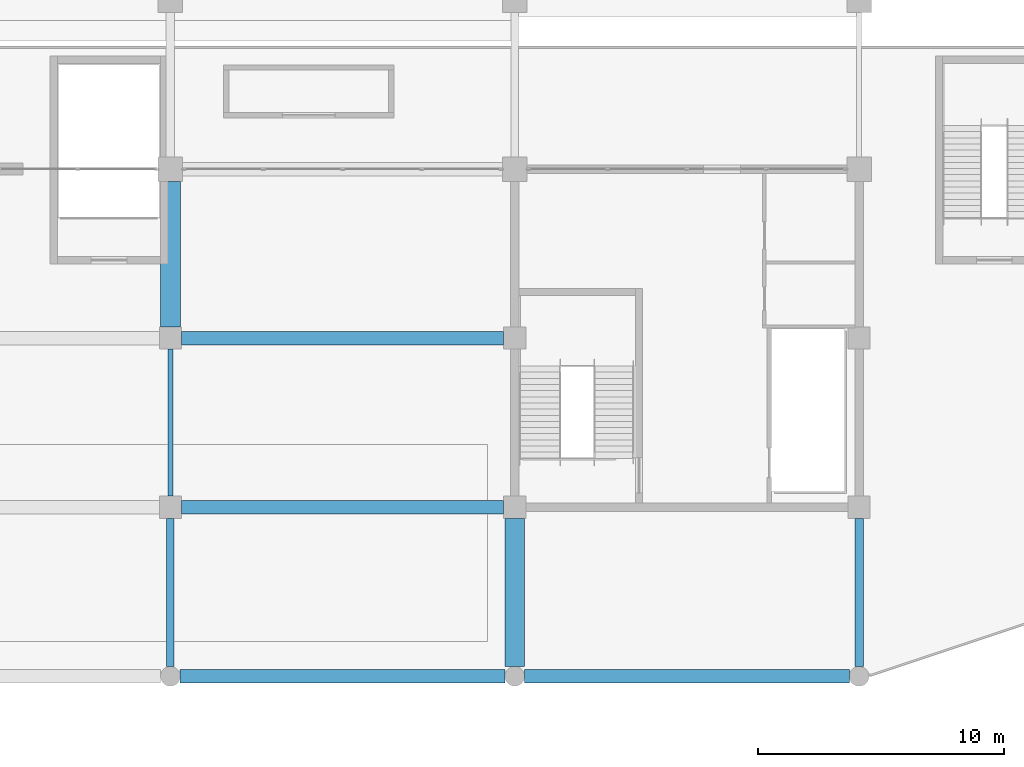
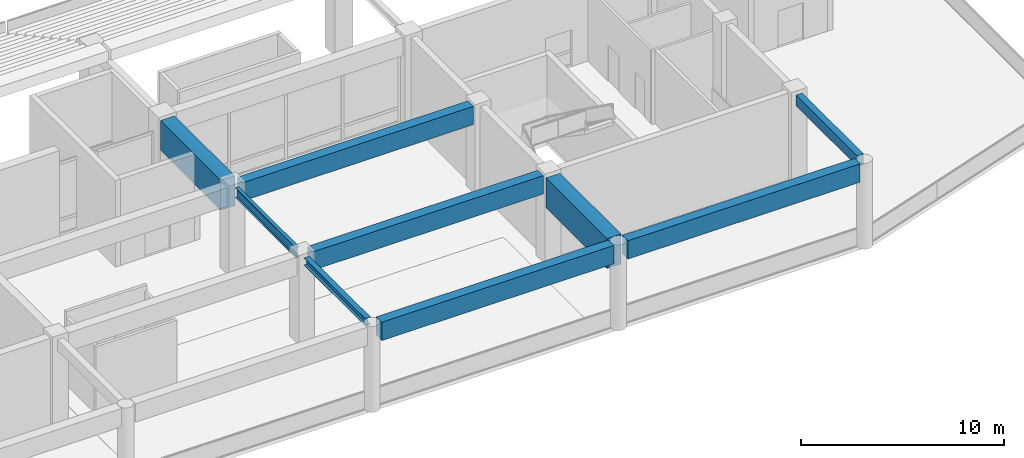
# One storey, part 35 of 117: 9 beams.
"""IFC4 building model written with IfcOpenShell, lengths in metres."""

from ifc_helpers import new_model, si_unit, direction, frame, origin, origin_2d, place, context, subcontext, project, spatial, rectangle, i_section, extrude, material, material_profile, profile_set, type_object, element, save


model = new_model("IFC4")

# Units and contexts
model_context = context("Model", 3, precision=1e-05, world=origin(), true_north=direction((0.0, 1.0)))
body_context = subcontext(model_context, "Body", "Model", "MODEL_VIEW")
ifc_project = project(units=[si_unit("LENGTHUNIT", "METRE"), si_unit("AREAUNIT", "SQUARE_METRE"), si_unit("VOLUMEUNIT", "CUBIC_METRE"), si_unit("PLANEANGLEUNIT", "RADIAN"), si_unit("MASSUNIT", "GRAM", prefix="KILO")], contexts=[model_context])

# Site, building, storey
site_placement = place(None, origin())
site = spatial("IfcSite", under=ifc_project, at=site_placement, CompositionType="ELEMENT")
building_placement = place(site_placement, origin())
building = spatial("IfcBuilding", under=site, at=building_placement, Name="Linyun Crest Stadium", CompositionType="ELEMENT")
storey_placement = place(building_placement, frame((0.0, 0.0, 6.0)))
storey = spatial("IfcBuildingStorey", under=building, at=storey_placement, Name="L02", CompositionType="ELEMENT", Elevation=6.0)

# Beams
ifc_material_1 = material(Name="Concrete C40", Category="concrete")
ifc_material_profile_1 = material_profile(ifc_material_1, rectangle(XDim=0.35009765625, YDim=0.64990234375, at=origin_2d()), Name="RCB 650x350")
ifc_profile_set_1 = profile_set([ifc_material_profile_1], Name="Concrete C40")
beam_type_1 = type_object("IfcBeamType", Name="B02", PredefinedType="BEAM", material=ifc_profile_set_1)
beam_1_placement = place(storey_placement, frame((28.0, -93.72509765625, 4.8349609375), z_axis=(0.0, 1.0, 0.0), x_axis=(-1.0, 0.0, 0.0)))
element("IfcBeam", 1, at=beam_1_placement, inside=storey, type_object=beam_type_1, Name="Frame beam B02 L02 921", PredefinedType="BEAM", context=body_context, shape_type="SweptSolid", body=[
    extrude(rectangle(XDim=0.35009765625, YDim=0.64990234375, at=origin_2d()), origin(), (0.0, 0.0, 1.0), 6.025146484375),
])
ifc_material_2 = material(Name="Steel Q355C", Category="steel")
ifc_material_profile_2 = material_profile(ifc_material_2, i_section(OverallWidth=0.300048828125, OverallDepth=0.43994140625, WebThickness=0.010986328125, FlangeThickness=0.01806640625, at=origin_2d()), Name="HM 440x300")
ifc_profile_set_2 = profile_set([ifc_material_profile_2], Name="Steel Q355C")
beam_type_2 = type_object("IfcBeamType", Name="B07", PredefinedType="BEAM", material=ifc_profile_set_2)
beam_2_placement = place(storey_placement, frame((0.0, -93.72509765625, 4.93994140625), z_axis=(0.0, 1.0, 0.0), x_axis=(-1.0, 0.0, 0.0)))
element("IfcBeam", 2, at=beam_2_placement, inside=storey, type_object=beam_type_2, Name="Frame beam B07 L02 915", PredefinedType="BEAM", context=body_context, shape_type="SweptSolid", body=[
    extrude(i_section(OverallWidth=0.300048828125, OverallDepth=0.43994140625, WebThickness=0.010986328125, FlangeThickness=0.01806640625, at=origin_2d()), origin(), (0.0, 0.0, 1.0), 6.025146484375),
])
ifc_material_3 = material(Name="Steel Q355C", Category="steel")
ifc_material_profile_3 = material_profile(ifc_material_3, i_section(OverallWidth=0.199951171875, OverallDepth=0.60009765625, WebThickness=0.010986328125, FlangeThickness=0.01708984375, at=origin_2d()), Name="HN 600x200")
ifc_profile_set_3 = profile_set([ifc_material_profile_3], Name="Steel Q355C")
beam_type_3 = type_object("IfcBeamType", Name="B11", PredefinedType="BEAM", material=ifc_profile_set_3)
beam_3_placement = place(storey_placement, frame((0.0, -86.800048828125, 4.89990234375), z_axis=(0.0, 1.0, 0.0), x_axis=(-1.0, 0.0, 0.0)))
element("IfcBeam", 3, at=beam_3_placement, inside=storey, type_object=beam_type_3, Name="Frame beam B11 L02 916", PredefinedType="BEAM", context=body_context, shape_type="SweptSolid", body=[
    extrude(i_section(OverallWidth=0.199951171875, OverallDepth=0.60009765625, WebThickness=0.010986328125, FlangeThickness=0.01708984375, at=origin_2d()), origin(), (0.0, 0.0, 1.0), 5.97509765625),
])
ifc_material_4 = material(Name="Concrete C50", Category="concrete")
ifc_material_profile_4 = material_profile(ifc_material_4, rectangle(XDim=0.800048828125, YDim=1.800048828125, at=origin_2d()), Name="RCB 1800x800")
ifc_profile_set_4 = profile_set([ifc_material_profile_4], Name="Concrete C50")
beam_type_4 = type_object("IfcBeamType", Name="B14", PredefinedType="BEAM", material=ifc_profile_set_4)
beam_4_placement = place(storey_placement, frame((0.0, -79.925048828125, 4.300048828125), z_axis=(0.0, 1.0, 0.0), x_axis=(-1.0, 0.0, 0.0)))
element("IfcBeam", 4, at=beam_4_placement, inside=storey, type_object=beam_type_4, Name="Frame beam B14 L02 917", PredefinedType="BEAM", context=body_context, shape_type="SweptSolid", body=[
    extrude(rectangle(XDim=0.800048828125, YDim=1.800048828125, at=origin_2d()), origin(), (0.0, 0.0, 1.0), 5.925048828125),
])
beam_5_placement = place(storey_placement, frame((14.0, -93.72509765625, 4.260009765625), z_axis=(0.0, 1.0, 0.0), x_axis=(-1.0, 0.0, 0.0)))
element("IfcBeam", 5, at=beam_5_placement, inside=storey, type_object=beam_type_4, Name="Frame beam B14 L02 919", PredefinedType="BEAM", context=body_context, shape_type="SweptSolid", body=[
    extrude(rectangle(XDim=0.800048828125, YDim=1.800048828125, at=origin_2d()), origin(), (0.0, 0.0, 1.0), 6.025146484375),
])
ifc_material_5 = material(Name="Concrete C50", Category="concrete")
ifc_material_profile_5 = material_profile(ifc_material_5, rectangle(XDim=0.550048828125, YDim=1.10009765625, at=origin_2d()), Name="RCB 1100x550")
ifc_profile_set_5 = profile_set([ifc_material_profile_5], Name="Concrete C50")
beam_type_5 = type_object("IfcBeamType", Name="TB01", PredefinedType="USERDEFINED", material=ifc_profile_set_5)
for number, where, z_axis, x_axis, name in (
    (6, (0.39990234375, -94.125, 4.610107421875), (1.0, 0.0, 0.0), (0.0, 1.0, 0.0), "Frame beam TB01 L02 904"),
    (7, (14.39990234375, -94.125, 4.610107421875), (1.0, 0.0, 0.0), (0.0, 1.0, 0.0), "Frame beam TB01 L02 905"),
):
    element("IfcBeam", number, at=place(storey_placement, frame(where, z_axis=z_axis, x_axis=x_axis)), inside=storey, type_object=beam_type_5, Name=name, ObjectType="GIRDER", PredefinedType="USERDEFINED", context=body_context, shape_type="SweptSolid", body=[
        extrude(rectangle(XDim=0.550048828125, YDim=1.10009765625, at=origin_2d()), origin(), (0.0, 0.0, 1.0), 13.2001953125),
    ])
for number, where, z_axis, x_axis, name in (
    (8, (0.449951171875, -87.25, 4.64990234375), (1.0, 0.0, 0.0), (0.0, 1.0, 0.0), "Frame beam TB01 L02 907"),
    (9, (0.449951171875, -80.375, 4.64990234375), (1.0, 0.0, 0.0), (0.0, 1.0, 0.0), "Frame beam TB01 L02 909"),
):
    element("IfcBeam", number, at=place(storey_placement, frame(where, z_axis=z_axis, x_axis=x_axis)), inside=storey, type_object=beam_type_5, Name=name, ObjectType="GIRDER", PredefinedType="USERDEFINED", context=body_context, shape_type="SweptSolid", body=[
        extrude(rectangle(XDim=0.550048828125, YDim=1.10009765625, at=origin_2d()), origin(), (0.0, 0.0, 1.0), 13.10009765625),
    ])

save(model, "model.ifc")
